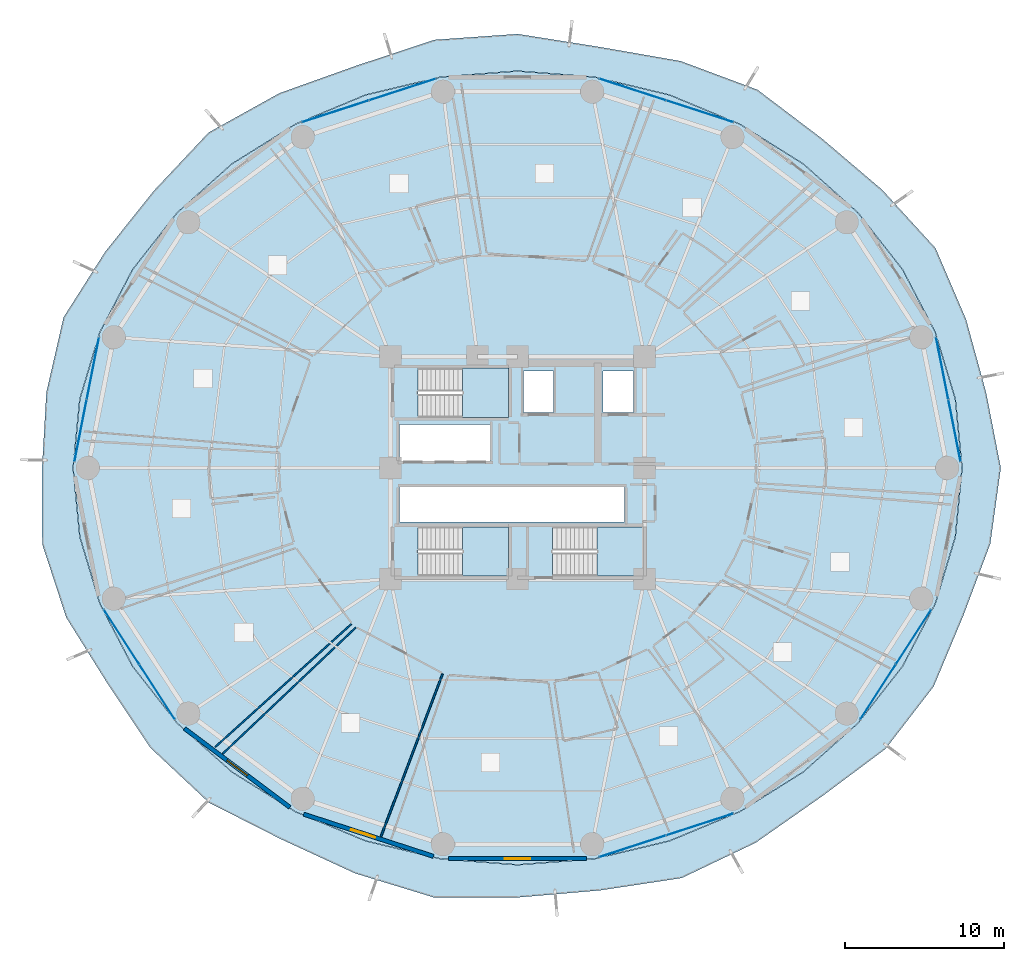
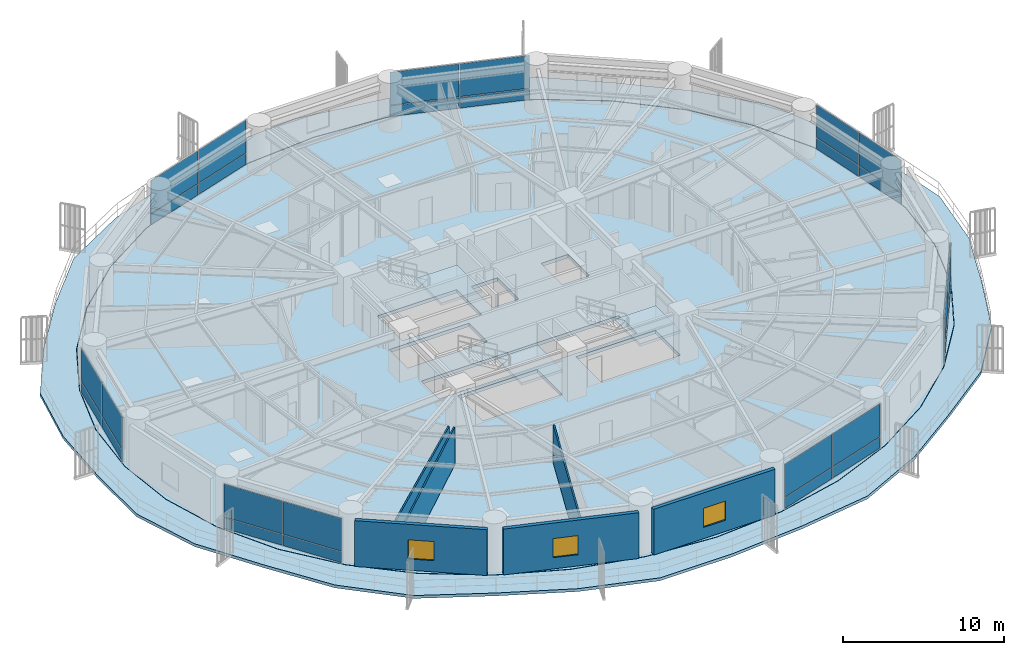
# One storey, part 21 of 31: 28 plates, 6 walls, 5 slabs, 3 windows, 3 openings, 10 elements without a shape of their own.
"""IFC4 building model written with IfcOpenShell, lengths in metres."""

from ifc_helpers import new_model, si_unit, direction, frame, frame_2d, origin, origin_2d, place, context, subcontext, project, spatial, polyline, rectangle, outline, extrude, source, transform, mapped, material, layer, layer_set, type_object, element, fill, aggregate, save


model = new_model("IFC4")

# Units and contexts
model_context = context("Model", 3, precision=1e-05, world=origin(), true_north=direction((0.0, 1.0)))
body_context = subcontext(model_context, "Body", "Model", "MODEL_VIEW")
ifc_project = project(units=[si_unit("LENGTHUNIT", "METRE"), si_unit("AREAUNIT", "SQUARE_METRE"), si_unit("VOLUMEUNIT", "CUBIC_METRE"), si_unit("PLANEANGLEUNIT", "RADIAN"), si_unit("MASSUNIT", "GRAM", prefix="KILO")], contexts=[model_context])

# Site, building, storey
site_placement = place(None, origin())
site = spatial("IfcSite", under=ifc_project, at=site_placement, CompositionType="ELEMENT")
building_placement = place(site_placement, origin())
building = spatial("IfcBuilding", under=site, at=building_placement, Name="Kelanora Arch Commons", CompositionType="ELEMENT")
storey_placement = place(building_placement, frame((0.0, 0.0, 63.75)))
storey = spatial("IfcBuildingStorey", under=building, at=storey_placement, Name="L16", CompositionType="ELEMENT", Elevation=63.75)

# Stair, slab
ifc_material_1 = material(Name="Concrete C40/50", Category="concrete")
stair_type = type_object("IfcStairType", Name="STR-DL-375", PredefinedType="HALF_TURN_STAIR", material=ifc_material_1)
stair_1_placement = place(storey_placement, origin())
stair_1 = element("IfcStair", 1, at=stair_1_placement, inside=storey, type_object=stair_type, Name="L16 ST-T1", PredefinedType="HALF_TURN_STAIR")
ifc_layer_1 = layer(ifc_material_1, 0.199951171875)
ifc_layer_set_1 = layer_set([ifc_layer_1], Name="Concrete C40/50")
slab_type_1 = type_object("IfcSlabType", Name="SLB-STAIR-LND", PredefinedType="LANDING", material=ifc_layer_set_1)
slab_1_placement = place(storey_placement, frame((0.0, 0.0, 1.675048828125)))
slab_1 = element("IfcSlab", 2, at=slab_1_placement, type_object=slab_type_1, Name="ST-T1 landing 1", PredefinedType="LANDING", context=body_context, shape_type="SweptSolid", body=[
    extrude(outline(polyline([(70.52001953125, 61.179931640625), (73.43994140625, 61.179931640625), (73.43994140625, 64.2900390625), (70.52001953125, 64.2900390625), (70.52001953125, 61.179931640625)])), origin(), (0.0, 0.0, 1.0), 0.199951171875),
])
aggregate(stair_1, [slab_1])

stair_2_placement = place(storey_placement, origin())
stair_2 = element("IfcStair", 3, at=stair_2_placement, inside=storey, type_object=stair_type, Name="L16 ST-T2", PredefinedType="HALF_TURN_STAIR")
slab_2_placement = place(storey_placement, frame((0.0, 0.0, 1.675048828125)))
slab_2 = element("IfcSlab", 4, at=slab_2_placement, type_object=slab_type_1, Name="ST-T2 landing 1", PredefinedType="LANDING", context=body_context, shape_type="SweptSolid", body=[
    extrude(outline(polyline([(79.0, 51.179931640625), (81.919921875, 51.179931640625), (81.919921875, 54.2900390625), (79.0, 54.2900390625), (79.0, 51.179931640625)])), origin(), (0.0, 0.0, 1.0), 0.199951171875),
])
aggregate(stair_2, [slab_2])

stair_3_placement = place(storey_placement, origin())
stair_3 = element("IfcStair", 5, at=stair_3_placement, inside=storey, type_object=stair_type, Name="L16 ST-T3", PredefinedType="HALF_TURN_STAIR")
slab_3_placement = place(storey_placement, frame((0.0, 0.0, 1.675048828125)))
slab_3 = element("IfcSlab", 6, at=slab_3_placement, type_object=slab_type_1, Name="ST-T3 landing 1", PredefinedType="LANDING", context=body_context, shape_type="SweptSolid", body=[
    extrude(outline(polyline([(70.52001953125, 51.179931640625), (73.43994140625, 51.179931640625), (73.43994140625, 54.2900390625), (70.52001953125, 54.2900390625), (70.52001953125, 51.179931640625)])), origin(), (0.0, 0.0, 1.0), 0.199951171875),
])
aggregate(stair_3, [slab_3])

# Slabs
ifc_layer_2 = layer(ifc_material_1, 0.260009765625)
ifc_layer_set_2 = layer_set([ifc_layer_2], Name="Concrete C40/50")
slab_type_2 = type_object("IfcSlabType", Name="SLB-TWR-TYP", PredefinedType="FLOOR", material=ifc_layer_set_2)
slab_4_placement = place(storey_placement, frame((0.0, 0.0, -0.260009765625)))
element("IfcSlab", 7, at=slab_4_placement, inside=storey, type_object=slab_type_2, Name="Tower Floor Slab L16", PredefinedType="FLOOR", context=body_context, shape_type="SweptSolid", body=[
    extrude(outline(polyline([(102.0, 58.0), (101.57470703125, 62.34130859375), (100.311279296875, 66.550537109375), (98.248779296875, 70.5), (95.44921875, 74.069580078125), (91.998046875, 77.151123046875), (88.0, 79.650634765625), (83.57666015625, 81.4921875), (78.862060546875, 82.6201171875), (74.0, 83.0), (69.137939453125, 82.6201171875), (64.42333984375, 81.4921875), (60.0, 79.650634765625), (56.001953125, 77.151123046875), (52.55078125, 74.069580078125), (49.751220703125, 70.5), (47.688720703125, 66.550537109375), (46.42529296875, 62.34130859375), (46.0, 58.0), (46.42529296875, 53.65869140625), (47.688720703125, 49.449462890625), (49.751220703125, 45.5), (52.55078125, 41.930419921875), (56.001953125, 38.848876953125), (60.0, 36.349365234375), (64.42333984375, 34.5078125), (69.137939453125, 33.3798828125), (74.0, 33.0), (78.862060546875, 33.3798828125), (83.57666015625, 34.5078125), (88.0, 36.349365234375), (91.998046875, 38.848876953125), (95.44921875, 41.930419921875), (98.248779296875, 45.5), (100.311279296875, 49.449462890625), (101.57470703125, 53.65869140625), (102.0, 58.0)]), holes=[polyline([(73.431884765625, 51.18798828125), (67.72802734375, 51.18798828125), (67.72802734375, 54.281982421875), (73.431884765625, 54.281982421875), (73.431884765625, 51.18798828125)]), polyline([(76.2080078125, 51.18798828125), (76.2080078125, 54.281982421875), (81.912109375, 54.281982421875), (81.912109375, 51.18798828125), (76.2080078125, 51.18798828125)]), polyline([(66.550048828125, 54.60009765625), (66.550048828125, 56.800048828125), (80.75, 56.800048828125), (80.75, 54.60009765625), (66.550048828125, 54.60009765625)]), polyline([(66.550048828125, 58.449951171875), (66.550048828125, 60.75), (72.25, 60.75), (72.25, 58.449951171875), (66.550048828125, 58.449951171875)]), polyline([(67.72802734375, 61.18798828125), (67.72802734375, 64.281982421875), (73.431884765625, 64.281982421875), (73.431884765625, 61.18798828125), (67.72802734375, 61.18798828125)]), polyline([(74.3798828125, 61.47998046875), (74.3798828125, 64.1201171875), (76.260009765625, 64.1201171875), (76.260009765625, 61.47998046875), (74.3798828125, 61.47998046875)]), polyline([(79.3798828125, 61.47998046875), (79.3798828125, 64.1201171875), (81.320068359375, 64.1201171875), (81.320068359375, 61.47998046875), (79.3798828125, 61.47998046875)])]), origin(), (0.0, 0.0, 1.0), 0.260009765625),
])
ifc_layer_3 = layer(ifc_material_1, 0.219970703125)
ifc_layer_set_3 = layer_set([ifc_layer_3], Name="Concrete C40/50")
slab_type_3 = type_object("IfcSlabType", Name="SLB-WAVE-BAL", PredefinedType="FLOOR", material=ifc_layer_set_3)
slab_5_placement = place(storey_placement, frame((0.0, 0.0, -0.219970703125)))
element("IfcSlab", 8, at=slab_5_placement, inside=storey, type_object=slab_type_3, Name="Sinusoidal Wave Balcony Slab L16", PredefinedType="FLOOR", context=body_context, shape_type="SweptSolid", body=[
    extrude(outline(polyline([(104.449951171875, 58.0), (103.52978515625, 62.727294921875), (102.266845703125, 67.34765625), (100.33740234375, 71.8505859375), (96.988037109375, 75.515869140625), (93.193115234375, 78.74609375), (89.12255859375, 81.828369140625), (84.273681640625, 83.637939453125), (79.16259765625, 84.5283203125), (74.0, 85.347412109375), (68.7666015625, 84.978515625), (63.822509765625, 83.341552734375), (58.988525390625, 81.61279296875), (54.5205078125, 79.12841796875), (51.0732421875, 75.458251953125), (48.01513671875, 71.622802734375), (45.38916015625, 67.48779296875), (44.307373046875, 62.759521484375), (44.034912109375, 58.0), (44.04931640625, 53.189453125), (45.5556640625, 48.580078125), (48.1328125, 44.453369140625), (50.872314453125, 40.35302734375), (54.5498046875, 36.910400390625), (59.099609375, 34.602783203125), (63.756103515625, 32.45458984375), (68.751708984375, 30.9267578125), (74.0, 30.9326171875), (79.177490234375, 31.376953125), (84.340087890625, 32.157958984375), (89.011474609375, 34.38720703125), (93.163818359375, 37.292724609375), (97.18896484375, 40.29541015625), (100.219970703125, 44.225341796875), (102.10009765625, 48.72021484375), (103.7880859375, 53.2216796875), (104.449951171875, 58.0)]), holes=[polyline([(101.59423828125, 53.6552734375), (100.330078125, 49.442626953125), (98.26611328125, 45.489990234375), (95.464599609375, 41.91748046875), (92.010986328125, 38.83349609375), (88.010009765625, 36.33203125), (83.58349609375, 34.489013671875), (78.865478515625, 33.360107421875), (74.0, 32.97998046875), (69.134521484375, 33.360107421875), (64.41650390625, 34.489013671875), (59.989990234375, 36.33203125), (55.989013671875, 38.83349609375), (52.535400390625, 41.91748046875), (49.73388671875, 45.489990234375), (47.669921875, 49.442626953125), (46.40576171875, 53.6552734375), (45.97998046875, 58.0), (46.40576171875, 62.3447265625), (47.669921875, 66.557373046875), (49.73388671875, 70.510009765625), (52.535400390625, 74.08251953125), (55.989013671875, 77.16650390625), (59.989990234375, 79.66796875), (64.41650390625, 81.510986328125), (69.134521484375, 82.639892578125), (74.0, 83.02001953125), (78.865478515625, 82.639892578125), (83.58349609375, 81.510986328125), (88.010009765625, 79.66796875), (92.010986328125, 77.16650390625), (95.464599609375, 74.08251953125), (98.26611328125, 70.510009765625), (100.330078125, 66.557373046875), (101.59423828125, 62.3447265625), (102.02001953125, 58.0), (101.59423828125, 53.6552734375)])]), origin(), (0.0, 0.0, 1.0), 0.219970703125),
])

# Curtain wall, plates
ifc_material_2 = material(Name="Terracotta ceramic-fritted low-E glass and aluminium", Category="masonry")
ifc_layer_4 = layer(ifc_material_2, 0.159912109375)
ifc_layer_set_4 = layer_set([ifc_layer_4], Name="Terracotta ceramic-fritted low-E glass and aluminium")
curtain_wall_type = type_object("IfcCurtainWallType", Name="CW-SYS-01", PredefinedType="NOTDEFINED", material=ifc_layer_set_4)
curtain_wall_1_placement = place(storey_placement, origin())
curtain_wall_1 = element("IfcCurtainWall", 9, at=curtain_wall_1_placement, inside=storey, type_object=curtain_wall_type, Name="Unitised Curtain Wall L16-B00", PredefinedType="NOTDEFINED")
ifc_material_3 = material(Name="Terracotta ceramic-fritted double glazing", Category="masonry")
ifc_layer_5 = layer(ifc_material_3, 0.028076171875)
ifc_layer_set_5 = layer_set([ifc_layer_5], Name="Terracotta ceramic-fritted double glazing")
plate_type = type_object("IfcPlateType", Name="CWP-FRIT", PredefinedType="CURTAIN_PANEL", material=ifc_layer_set_5)
shared_shape_1 = source(origin(), body_context, "Body", "SweptSolid", [
    extrude(rectangle(XDim=3.9482421875, YDim=0.028076171875, at=origin_2d()), origin(), (0.0, 0.0, 1.0), 0.81005859375),
])
plate_1_placement = place(storey_placement, frame((101.536865234375, 60.34521484375, 0.06005859375), z_axis=(0.0, 0.0, 1.0), x_axis=(-0.193744048498, 0.981052110579, 0.0)))
plate_1 = element("IfcPlate", 10, at=plate_1_placement, type_object=plate_type, Name="CW-01 panel 1.1", PredefinedType="CURTAIN_PANEL", context=body_context, shape_type="MappedRepresentation", body=[
    mapped(shared_shape_1, transform((0.0, 0.0, 0.0), scale=1.0)),
])
plate_2_placement = place(storey_placement, frame((100.76025390625, 64.277587890625, 0.06005859375), z_axis=(0.0, 0.0, 1.0), x_axis=(-0.193744048498, 0.981052110579, 0.0)))
plate_2 = element("IfcPlate", 11, at=plate_2_placement, type_object=plate_type, Name="CW-01 panel 2.1", PredefinedType="CURTAIN_PANEL", context=body_context, shape_type="MappedRepresentation", body=[
    mapped(shared_shape_1, transform((0.0, 0.0, 0.0), scale=1.0)),
])

curtain_wall_2_placement = place(storey_placement, origin())
curtain_wall_2 = element("IfcCurtainWall", 12, at=curtain_wall_2_placement, inside=storey, type_object=curtain_wall_type, Name="Unitised Curtain Wall L16-B08", PredefinedType="NOTDEFINED")
plate_3_placement = place(storey_placement, frame((47.23974609375, 64.277587890625, 0.06005859375), z_axis=(0.0, 0.0, 1.0), x_axis=(-0.193744048498, -0.981052110579, 0.0)))
plate_3 = element("IfcPlate", 13, at=plate_3_placement, type_object=plate_type, Name="CW-01 panel 1.1", PredefinedType="CURTAIN_PANEL", context=body_context, shape_type="MappedRepresentation", body=[
    mapped(shared_shape_1, transform((0.0, 0.0, 0.0), scale=1.0)),
])
plate_4_placement = place(storey_placement, frame((46.463134765625, 60.34521484375, 0.06005859375), z_axis=(0.0, 0.0, 1.0), x_axis=(-0.193744048498, -0.981052110579, 0.0)))
plate_4 = element("IfcPlate", 14, at=plate_4_placement, type_object=plate_type, Name="CW-01 panel 2.1", PredefinedType="CURTAIN_PANEL", context=body_context, shape_type="MappedRepresentation", body=[
    mapped(shared_shape_1, transform((0.0, 0.0, 0.0), scale=1.0)),
])

# Plate
shared_shape_2 = source(origin(), body_context, "Body", "SweptSolid", [
    extrude(rectangle(XDim=3.9482421875, YDim=0.028076171875, at=origin_2d()), origin(), (0.0, 0.0, 1.0), 2.485107421875),
])
plate_5_placement = place(storey_placement, frame((101.536865234375, 60.34521484375, 0.93017578125), z_axis=(0.0, 0.0, 1.0), x_axis=(-0.193744048498, 0.981052110579, 0.0)))
plate_5 = element("IfcPlate", 15, at=plate_5_placement, type_object=plate_type, Name="CW-01 panel 1.2", PredefinedType="CURTAIN_PANEL", context=body_context, shape_type="MappedRepresentation", body=[
    mapped(shared_shape_2, transform((0.0, 0.0, 0.0), scale=1.0)),
])

plate_6_placement = place(storey_placement, frame((100.76025390625, 64.277587890625, 0.93017578125), z_axis=(0.0, 0.0, 1.0), x_axis=(-0.193744048498, 0.981052110579, 0.0)))
plate_6 = element("IfcPlate", 16, at=plate_6_placement, type_object=plate_type, Name="CW-01 panel 2.2", PredefinedType="CURTAIN_PANEL", context=body_context, shape_type="MappedRepresentation", body=[
    mapped(shared_shape_2, transform((0.0, 0.0, 0.0), scale=1.0)),
])

aggregate(curtain_wall_1, [plate_1, plate_5, plate_2, plate_6])

plate_7_placement = place(storey_placement, frame((47.23974609375, 64.277587890625, 0.93017578125), z_axis=(0.0, 0.0, 1.0), x_axis=(-0.193744048498, -0.981052110579, 0.0)))
plate_7 = element("IfcPlate", 17, at=plate_7_placement, type_object=plate_type, Name="CW-01 panel 1.2", PredefinedType="CURTAIN_PANEL", context=body_context, shape_type="MappedRepresentation", body=[
    mapped(shared_shape_2, transform((0.0, 0.0, 0.0), scale=1.0)),
])

plate_8_placement = place(storey_placement, frame((46.463134765625, 60.34521484375, 0.93017578125), z_axis=(0.0, 0.0, 1.0), x_axis=(-0.193744048498, -0.981052110579, 0.0)))
plate_8 = element("IfcPlate", 18, at=plate_8_placement, type_object=plate_type, Name="CW-01 panel 2.2", PredefinedType="CURTAIN_PANEL", context=body_context, shape_type="MappedRepresentation", body=[
    mapped(shared_shape_2, transform((0.0, 0.0, 0.0), scale=1.0)),
])

aggregate(curtain_wall_2, [plate_3, plate_7, plate_4, plate_8])

# Curtain wall, plates
curtain_wall_3_placement = place(storey_placement, origin())
curtain_wall_3 = element("IfcCurtainWall", 19, at=curtain_wall_3_placement, inside=storey, type_object=curtain_wall_type, Name="Unitised Curtain Wall L16-B03", PredefinedType="NOTDEFINED")
shared_shape_3 = source(origin(), body_context, "Body", "SweptSolid", [
    extrude(rectangle(XDim=4.39453125, YDim=0.028076171875, at=origin_2d()), origin(), (0.0, 0.0, 1.0), 0.81005859375),
])
plate_9_placement = place(storey_placement, frame((85.4892578125, 80.466552734375, 0.06005859375), z_axis=(0.0, 0.0, 1.0), x_axis=(-0.951043326793, 0.30905758454, 0.0)))
plate_9 = element("IfcPlate", 20, at=plate_9_placement, type_object=plate_type, Name="CW-01 panel 1.1", PredefinedType="CURTAIN_PANEL", context=body_context, shape_type="MappedRepresentation", body=[
    mapped(shared_shape_3, transform((0.0, 0.0, 0.0), scale=1.0)),
])
plate_10_placement = place(storey_placement, frame((81.252685546875, 81.84326171875, 0.06005859375), z_axis=(0.0, 0.0, 1.0), x_axis=(-0.951043326793, 0.30905758454, 0.0)))
plate_10 = element("IfcPlate", 21, at=plate_10_placement, type_object=plate_type, Name="CW-01 panel 2.1", PredefinedType="CURTAIN_PANEL", context=body_context, shape_type="MappedRepresentation", body=[
    mapped(shared_shape_3, transform((0.0, 0.0, 0.0), scale=1.0)),
])

curtain_wall_4_placement = place(storey_placement, origin())
curtain_wall_4 = element("IfcCurtainWall", 22, at=curtain_wall_4_placement, inside=storey, type_object=curtain_wall_type, Name="Unitised Curtain Wall L16-B05", PredefinedType="NOTDEFINED")
plate_11_placement = place(storey_placement, frame((66.747314453125, 81.84326171875, 0.06005859375), z_axis=(0.0, 0.0, 1.0), x_axis=(-0.951043326793, -0.30905758454, 0.0)))
plate_11 = element("IfcPlate", 23, at=plate_11_placement, type_object=plate_type, Name="CW-01 panel 1.1", PredefinedType="CURTAIN_PANEL", context=body_context, shape_type="MappedRepresentation", body=[
    mapped(shared_shape_3, transform((0.0, 0.0, 0.0), scale=1.0)),
])
plate_12_placement = place(storey_placement, frame((62.5107421875, 80.466552734375, 0.06005859375), z_axis=(0.0, 0.0, 1.0), x_axis=(-0.951043326793, -0.30905758454, 0.0)))
plate_12 = element("IfcPlate", 24, at=plate_12_placement, type_object=plate_type, Name="CW-01 panel 2.1", PredefinedType="CURTAIN_PANEL", context=body_context, shape_type="MappedRepresentation", body=[
    mapped(shared_shape_3, transform((0.0, 0.0, 0.0), scale=1.0)),
])

curtain_wall_5_placement = place(storey_placement, origin())
curtain_wall_5 = element("IfcCurtainWall", 25, at=curtain_wall_5_placement, inside=storey, type_object=curtain_wall_type, Name="Unitised Curtain Wall L16-B14", PredefinedType="NOTDEFINED")
plate_13_placement = place(storey_placement, frame((81.252685546875, 34.15673828125, 0.06005859375), z_axis=(0.0, 0.0, 1.0), x_axis=(0.951043326793, 0.30905758454, 0.0)))
plate_13 = element("IfcPlate", 26, at=plate_13_placement, type_object=plate_type, Name="CW-01 panel 1.1", PredefinedType="CURTAIN_PANEL", context=body_context, shape_type="MappedRepresentation", body=[
    mapped(shared_shape_3, transform((0.0, 0.0, 0.0), scale=1.0)),
])
plate_14_placement = place(storey_placement, frame((85.4892578125, 35.533447265625, 0.06005859375), z_axis=(0.0, 0.0, 1.0), x_axis=(0.951043326793, 0.30905758454, 0.0)))
plate_14 = element("IfcPlate", 27, at=plate_14_placement, type_object=plate_type, Name="CW-01 panel 2.1", PredefinedType="CURTAIN_PANEL", context=body_context, shape_type="MappedRepresentation", body=[
    mapped(shared_shape_3, transform((0.0, 0.0, 0.0), scale=1.0)),
])

# Plate
shared_shape_4 = source(origin(), body_context, "Body", "SweptSolid", [
    extrude(rectangle(XDim=4.39453125, YDim=0.028076171875, at=origin_2d()), origin(), (0.0, 0.0, 1.0), 2.485107421875),
])
plate_15_placement = place(storey_placement, frame((85.4892578125, 80.466552734375, 0.93017578125), z_axis=(0.0, 0.0, 1.0), x_axis=(-0.951043326793, 0.30905758454, 0.0)))
plate_15 = element("IfcPlate", 28, at=plate_15_placement, type_object=plate_type, Name="CW-01 panel 1.2", PredefinedType="CURTAIN_PANEL", context=body_context, shape_type="MappedRepresentation", body=[
    mapped(shared_shape_4, transform((0.0, 0.0, 0.0), scale=1.0)),
])

plate_16_placement = place(storey_placement, frame((81.252685546875, 81.84326171875, 0.93017578125), z_axis=(0.0, 0.0, 1.0), x_axis=(-0.951043326793, 0.30905758454, 0.0)))
plate_16 = element("IfcPlate", 29, at=plate_16_placement, type_object=plate_type, Name="CW-01 panel 2.2", PredefinedType="CURTAIN_PANEL", context=body_context, shape_type="MappedRepresentation", body=[
    mapped(shared_shape_4, transform((0.0, 0.0, 0.0), scale=1.0)),
])

aggregate(curtain_wall_3, [plate_9, plate_15, plate_10, plate_16])

plate_17_placement = place(storey_placement, frame((66.747314453125, 81.84326171875, 0.93017578125), z_axis=(0.0, 0.0, 1.0), x_axis=(-0.951043326793, -0.30905758454, 0.0)))
plate_17 = element("IfcPlate", 30, at=plate_17_placement, type_object=plate_type, Name="CW-01 panel 1.2", PredefinedType="CURTAIN_PANEL", context=body_context, shape_type="MappedRepresentation", body=[
    mapped(shared_shape_4, transform((0.0, 0.0, 0.0), scale=1.0)),
])

plate_18_placement = place(storey_placement, frame((62.5107421875, 80.466552734375, 0.93017578125), z_axis=(0.0, 0.0, 1.0), x_axis=(-0.951043326793, -0.30905758454, 0.0)))
plate_18 = element("IfcPlate", 31, at=plate_18_placement, type_object=plate_type, Name="CW-01 panel 2.2", PredefinedType="CURTAIN_PANEL", context=body_context, shape_type="MappedRepresentation", body=[
    mapped(shared_shape_4, transform((0.0, 0.0, 0.0), scale=1.0)),
])

aggregate(curtain_wall_4, [plate_11, plate_17, plate_12, plate_18])

plate_19_placement = place(storey_placement, frame((81.252685546875, 34.15673828125, 0.93017578125), z_axis=(0.0, 0.0, 1.0), x_axis=(0.951043326793, 0.30905758454, 0.0)))
plate_19 = element("IfcPlate", 32, at=plate_19_placement, type_object=plate_type, Name="CW-01 panel 1.2", PredefinedType="CURTAIN_PANEL", context=body_context, shape_type="MappedRepresentation", body=[
    mapped(shared_shape_4, transform((0.0, 0.0, 0.0), scale=1.0)),
])

plate_20_placement = place(storey_placement, frame((85.4892578125, 35.533447265625, 0.93017578125), z_axis=(0.0, 0.0, 1.0), x_axis=(0.951043326793, 0.30905758454, 0.0)))
plate_20 = element("IfcPlate", 33, at=plate_20_placement, type_object=plate_type, Name="CW-01 panel 2.2", PredefinedType="CURTAIN_PANEL", context=body_context, shape_type="MappedRepresentation", body=[
    mapped(shared_shape_4, transform((0.0, 0.0, 0.0), scale=1.0)),
])

aggregate(curtain_wall_5, [plate_13, plate_19, plate_14, plate_20])

# Curtain wall, plates
curtain_wall_6_placement = place(storey_placement, origin())
curtain_wall_6 = element("IfcCurtainWall", 34, at=curtain_wall_6_placement, inside=storey, type_object=curtain_wall_type, Name="Unitised Curtain Wall L16-B10", PredefinedType="NOTDEFINED")
shared_shape_5 = source(origin(), body_context, "Body", "SweptSolid", [
    extrude(rectangle(XDim=4.06787109375, YDim=0.028076171875, at=origin_2d()), origin(), (0.0, 0.0, 1.0), 0.81005859375),
])
plate_21_placement = place(storey_placement, frame((49.04833984375, 47.346435546875, 0.06005859375), z_axis=(0.0, 0.0, 1.0), x_axis=(0.543004441812, -0.83972982332, 0.0)))
plate_21 = element("IfcPlate", 35, at=plate_21_placement, type_object=plate_type, Name="CW-01 panel 1.1", PredefinedType="CURTAIN_PANEL", context=body_context, shape_type="MappedRepresentation", body=[
    mapped(shared_shape_5, transform((0.0, 0.0, 0.0), scale=1.0)),
])
plate_22_placement = place(storey_placement, frame((51.289794921875, 43.880126953125, 0.06005859375), z_axis=(0.0, 0.0, 1.0), x_axis=(0.543004441812, -0.83972982332, 0.0)))
plate_22 = element("IfcPlate", 36, at=plate_22_placement, type_object=plate_type, Name="CW-01 panel 2.1", PredefinedType="CURTAIN_PANEL", context=body_context, shape_type="MappedRepresentation", body=[
    mapped(shared_shape_5, transform((0.0, 0.0, 0.0), scale=1.0)),
])

curtain_wall_7_placement = place(storey_placement, origin())
curtain_wall_7 = element("IfcCurtainWall", 37, at=curtain_wall_7_placement, inside=storey, type_object=curtain_wall_type, Name="Unitised Curtain Wall L16-B16", PredefinedType="NOTDEFINED")
plate_23_placement = place(storey_placement, frame((96.710205078125, 43.880126953125, 0.06005859375), z_axis=(0.0, 0.0, 1.0), x_axis=(0.543004441812, 0.83972982332, 0.0)))
plate_23 = element("IfcPlate", 38, at=plate_23_placement, type_object=plate_type, Name="CW-01 panel 1.1", PredefinedType="CURTAIN_PANEL", context=body_context, shape_type="MappedRepresentation", body=[
    mapped(shared_shape_5, transform((0.0, 0.0, 0.0), scale=1.0)),
])
plate_24_placement = place(storey_placement, frame((98.95166015625, 47.346435546875, 0.06005859375), z_axis=(0.0, 0.0, 1.0), x_axis=(0.543004441812, 0.83972982332, 0.0)))
plate_24 = element("IfcPlate", 39, at=plate_24_placement, type_object=plate_type, Name="CW-01 panel 2.1", PredefinedType="CURTAIN_PANEL", context=body_context, shape_type="MappedRepresentation", body=[
    mapped(shared_shape_5, transform((0.0, 0.0, 0.0), scale=1.0)),
])

# Plate
shared_shape_6 = source(origin(), body_context, "Body", "SweptSolid", [
    extrude(rectangle(XDim=4.06787109375, YDim=0.028076171875, at=origin_2d()), origin(), (0.0, 0.0, 1.0), 2.485107421875),
])
plate_25_placement = place(storey_placement, frame((49.04833984375, 47.346435546875, 0.93017578125), z_axis=(0.0, 0.0, 1.0), x_axis=(0.543004441812, -0.83972982332, 0.0)))
plate_25 = element("IfcPlate", 40, at=plate_25_placement, type_object=plate_type, Name="CW-01 panel 1.2", PredefinedType="CURTAIN_PANEL", context=body_context, shape_type="MappedRepresentation", body=[
    mapped(shared_shape_6, transform((0.0, 0.0, 0.0), scale=1.0)),
])

plate_26_placement = place(storey_placement, frame((51.289794921875, 43.880126953125, 0.93017578125), z_axis=(0.0, 0.0, 1.0), x_axis=(0.543004441812, -0.83972982332, 0.0)))
plate_26 = element("IfcPlate", 41, at=plate_26_placement, type_object=plate_type, Name="CW-01 panel 2.2", PredefinedType="CURTAIN_PANEL", context=body_context, shape_type="MappedRepresentation", body=[
    mapped(shared_shape_6, transform((0.0, 0.0, 0.0), scale=1.0)),
])

aggregate(curtain_wall_6, [plate_21, plate_25, plate_22, plate_26])

plate_27_placement = place(storey_placement, frame((96.710205078125, 43.880126953125, 0.93017578125), z_axis=(0.0, 0.0, 1.0), x_axis=(0.543004441812, 0.83972982332, 0.0)))
plate_27 = element("IfcPlate", 42, at=plate_27_placement, type_object=plate_type, Name="CW-01 panel 1.2", PredefinedType="CURTAIN_PANEL", context=body_context, shape_type="MappedRepresentation", body=[
    mapped(shared_shape_6, transform((0.0, 0.0, 0.0), scale=1.0)),
])

plate_28_placement = place(storey_placement, frame((98.95166015625, 47.346435546875, 0.93017578125), z_axis=(0.0, 0.0, 1.0), x_axis=(0.543004441812, 0.83972982332, 0.0)))
plate_28 = element("IfcPlate", 43, at=plate_28_placement, type_object=plate_type, Name="CW-01 panel 2.2", PredefinedType="CURTAIN_PANEL", context=body_context, shape_type="MappedRepresentation", body=[
    mapped(shared_shape_6, transform((0.0, 0.0, 0.0), scale=1.0)),
])

aggregate(curtain_wall_7, [plate_23, plate_27, plate_24, plate_28])

# Wall, opening, window
ifc_material_4 = material(Name="Precast concrete C40/50 with terracotta rainscreen", Category="masonry")
ifc_layer_6 = layer(ifc_material_4, 0.260009765625)
ifc_layer_set_6 = layer_set([ifc_layer_6], Name="Precast concrete C40/50 with terracotta rainscreen")
wall_type_1 = type_object("IfcWallType", Name="W-EXT-TC", PredefinedType="SOLIDWALL", material=ifc_layer_set_6)
wall_1_placement = place(storey_placement, frame((53.01611328125, 41.581787109375, 0.0), z_axis=(0.0, 0.0, 1.0), x_axis=(0.80030733173, -0.599590005569, 0.0)))
wall_1 = element("IfcWall", 44, at=wall_1_placement, inside=storey, type_object=wall_type_1, Name="Terracotta Exterior Wall L16-B11", PredefinedType="SOLIDWALL", context=body_context, shape_type="SweptSolid", body=[
    extrude(rectangle(XDim=8.29052734375, YDim=0.260009765625, at=frame_2d((4.145263671875, 0.0))), origin(), (0.0, 0.0, 1.0), 3.47509765625),
])
opening_1_placement = place(wall_1_placement, frame((3.344970703125, 0.0, 0.85009765625)))
opening_1 = element("IfcOpeningElement", 45, at=opening_1_placement, cuts=wall_1, Name="Opening WN-01", PredefinedType="OPENING", context=body_context, shape_type="SweptSolid", body=[
    extrude(rectangle(XDim=1.60009765625, YDim=1.449951171875, at=frame_2d((0.800048828125, 0.72509765625))), frame((0.0, 0.14013671875, 0.0), z_axis=(0.0, -1.0, 0.0), x_axis=(1.0, 0.0, 0.0)), (0.0, 0.0, 1.0), 0.280029296875),
])
ifc_material_5 = material(Name="Terracotta-anodised aluminium frame with operable low-E glazing", Category="masonry")
window_type = type_object("IfcWindowType", Name="WIN-CL-18", PartitioningType="DOUBLE_PANEL_VERTICAL", PredefinedType="WINDOW", material=ifc_material_5)
window_1_placement = place(opening_1_placement, origin())
window_1 = element("IfcWindow", 46, at=window_1_placement, inside=storey, type_object=window_type, Name="Co-Living Operable Window L16-B11", OverallHeight=1.449951171875, OverallWidth=1.60009765625, PartitioningType="SINGLE_PANEL", PredefinedType="WINDOW", context=body_context, shape_type="SweptSolid", body=[
    extrude(rectangle(XDim=1.60009765625, YDim=1.449951171875, at=frame_2d((0.800048828125, 0.72509765625))), frame((0.0, 0.030029296875, 0.0), z_axis=(0.0, -1.0, 0.0), x_axis=(1.0, 0.0, 0.0)), (0.0, 0.0, 1.0), 0.06005859375),
])
fill(opening_1, window_1)

wall_2_placement = place(storey_placement, frame((60.5263671875, 36.178466796875, 0.0), z_axis=(0.0, 0.0, 1.0), x_axis=(0.951039914291, -0.309068085421, 0.0)))
wall_2 = element("IfcWall", 47, at=wall_2_placement, inside=storey, type_object=wall_type_1, Name="Terracotta Exterior Wall L16-B12", PredefinedType="SOLIDWALL", context=body_context, shape_type="SweptSolid", body=[
    extrude(rectangle(XDim=8.593505859375, YDim=0.260009765625, at=frame_2d((4.296875, 0.0))), origin(), (0.0, 0.0, 1.0), 3.47509765625),
])
opening_2_placement = place(wall_2_placement, frame((3.136962890625, 0.0, 0.85009765625)))
opening_2 = element("IfcOpeningElement", 48, at=opening_2_placement, cuts=wall_2, Name="Opening WN-01", PredefinedType="OPENING", context=body_context, shape_type="SweptSolid", body=[
    extrude(rectangle(XDim=1.60009765625, YDim=1.449951171875, at=frame_2d((0.800048828125, 0.72509765625))), frame((0.0, 0.14013671875, 0.0), z_axis=(0.0, -1.0, 0.0), x_axis=(1.0, 0.0, 0.0)), (0.0, 0.0, 1.0), 0.280029296875),
])
window_2_placement = place(opening_2_placement, origin())
window_2 = element("IfcWindow", 49, at=window_2_placement, inside=storey, type_object=window_type, Name="Co-Living Operable Window L16-B12", OverallHeight=1.449951171875, OverallWidth=1.60009765625, PartitioningType="SINGLE_PANEL", PredefinedType="WINDOW", context=body_context, shape_type="SweptSolid", body=[
    extrude(rectangle(XDim=1.60009765625, YDim=1.449951171875, at=frame_2d((0.800048828125, 0.72509765625))), frame((0.0, 0.030029296875, 0.0), z_axis=(0.0, -1.0, 0.0), x_axis=(1.0, 0.0, 0.0)), (0.0, 0.0, 1.0), 0.06005859375),
])
fill(opening_2, window_2)

wall_3_placement = place(storey_placement, frame((69.64404296875, 33.3798828125, 0.0), z_axis=(0.0, 0.0, 1.0), x_axis=(1.0, 0.0, 0.0)))
wall_3 = element("IfcWall", 50, at=wall_3_placement, inside=storey, type_object=wall_type_1, Name="Terracotta Exterior Wall L16-B13", PredefinedType="SOLIDWALL", context=body_context, shape_type="SweptSolid", body=[
    extrude(rectangle(XDim=8.7119140625, YDim=0.260009765625, at=frame_2d((4.35595703125, 0.0))), origin(), (0.0, 0.0, 1.0), 3.47509765625),
])
opening_3_placement = place(wall_3_placement, frame((3.555908203125, 0.0, 0.85009765625)))
opening_3 = element("IfcOpeningElement", 51, at=opening_3_placement, cuts=wall_3, Name="Opening WN-01", PredefinedType="OPENING", context=body_context, shape_type="SweptSolid", body=[
    extrude(rectangle(XDim=1.60009765625, YDim=1.449951171875, at=frame_2d((0.800048828125, 0.72509765625))), frame((0.0, 0.14013671875, 0.0), z_axis=(0.0, -1.0, 0.0), x_axis=(1.0, 0.0, 0.0)), (0.0, 0.0, 1.0), 0.280029296875),
])
window_3_placement = place(opening_3_placement, origin())
window_3 = element("IfcWindow", 52, at=window_3_placement, inside=storey, type_object=window_type, Name="Co-Living Operable Window L16-B13", OverallHeight=1.449951171875, OverallWidth=1.60009765625, PartitioningType="SINGLE_PANEL", PredefinedType="WINDOW", context=body_context, shape_type="SweptSolid", body=[
    extrude(rectangle(XDim=1.60009765625, YDim=1.449951171875, at=frame_2d((0.800048828125, 0.72509765625))), frame((0.0, 0.030029296875, 0.0), z_axis=(0.0, -1.0, 0.0), x_axis=(1.0, 0.0, 0.0)), (0.0, 0.0, 1.0), 0.06005859375),
])
fill(opening_3, window_3)

# Walls
ifc_material_6 = material(Name="Lightweight fire-rated acoustic stud partition")
ifc_layer_7 = layer(ifc_material_6, 0.10009765625)
ifc_layer_set_7 = layer_set([ifc_layer_7], Name="Lightweight fire-rated acoustic stud partition")
wall_type_2 = type_object("IfcWallType", Name="W-PART-100", PredefinedType="PARTITIONING", material=ifc_layer_set_7)
wall_4_placement = place(storey_placement, frame((63.5322265625, 48.166259765625, 0.0), z_axis=(0.0, 0.0, 1.0), x_axis=(-0.742191353367, -0.670188029577, 0.0)))
element("IfcWall", 53, at=wall_4_placement, inside=storey, type_object=wall_type_2, Name="Communal Dining and Social Hall L16-08 Enclosure Partition 2", PredefinedType="PARTITIONING", context=body_context, shape_type="SweptSolid", body=[
    extrude(rectangle(XDim=11.569091796875, YDim=0.10009765625, at=frame_2d((5.78466796875, 0.0))), origin(), (0.0, 0.0, 1.0), 2.875),
])
wall_5_placement = place(storey_placement, frame((69.273681640625, 45.01953125, 0.0), z_axis=(0.0, 0.0, 1.0), x_axis=(-0.354325845477, -0.935122021571, 0.0)))
element("IfcWall", 54, at=wall_5_placement, inside=storey, type_object=wall_type_2, Name="Quiet Seminar Study Room L16-09 Enclosure Partition 2", PredefinedType="PARTITIONING", context=body_context, shape_type="SweptSolid", body=[
    extrude(rectangle(XDim=10.937744140625, YDim=0.10009765625, at=frame_2d((5.46875, 0.0))), origin(), (0.0, 0.0, 1.0), 2.875),
])
wall_6_placement = place(storey_placement, frame((55.43310546875, 40.00341796875, 0.0), z_axis=(0.0, 0.0, 1.0), x_axis=(0.725627678847, 0.688087546531, 0.0)))
element("IfcWall", 55, at=wall_6_placement, inside=storey, type_object=wall_type_2, Name="Quiet Seminar Study Room L16-09 Enclosure Partition 4", PredefinedType="PARTITIONING", context=body_context, shape_type="SweptSolid", body=[
    extrude(rectangle(XDim=11.530517578125, YDim=0.10009765625, at=frame_2d((5.76513671875, 0.0))), origin(), (0.0, 0.0, 1.0), 2.875),
])

save(model, "model.ifc")
